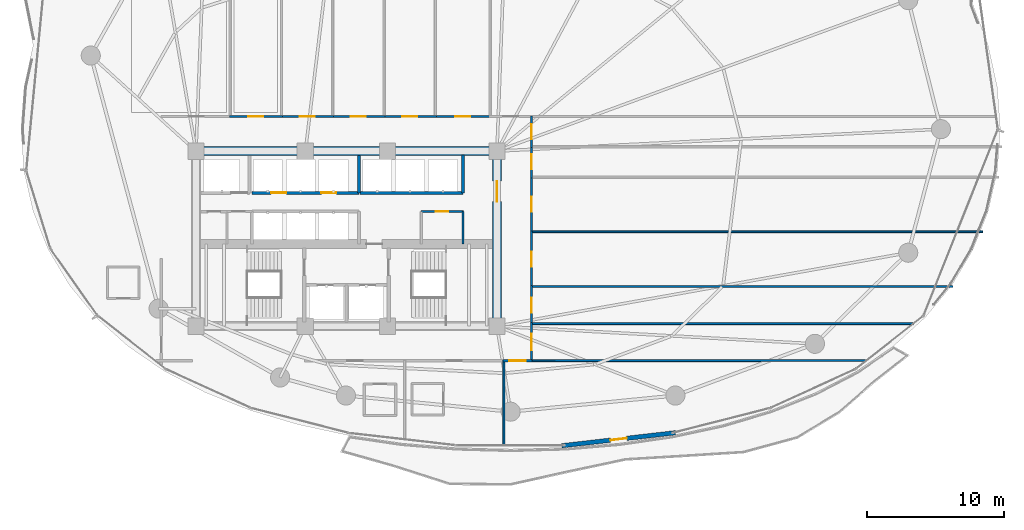
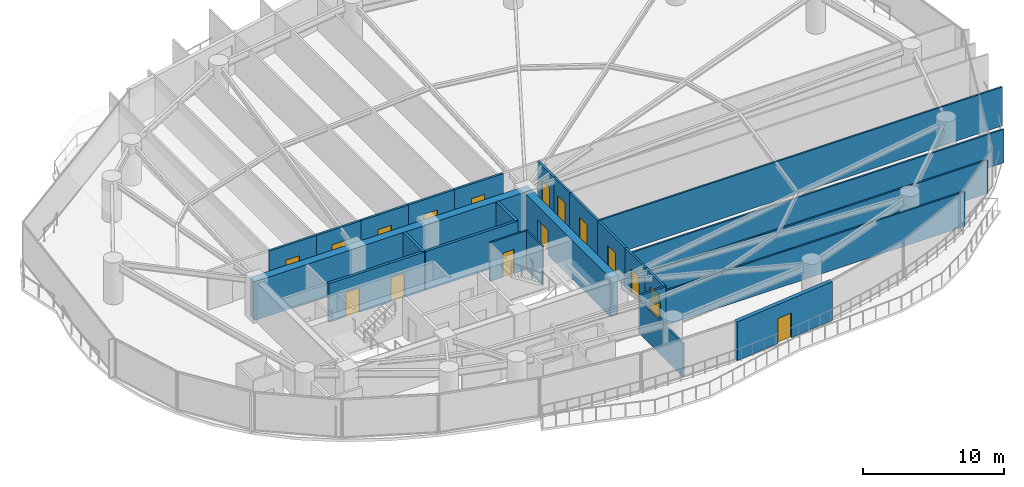
# One storey, part 26 of 32: 26 walls, 17 doors, 17 openings.
"""IFC4 building model written with IfcOpenShell, lengths in metres."""

from ifc_helpers import new_model, si_unit, direction, frame, frame_2d, origin, place, context, subcontext, project, spatial, rectangle, extrude, material, layer, layer_set, type_object, element, fill, save


model = new_model("IFC4")

# Units and contexts
model_context = context("Model", 3, precision=1e-05, world=origin(), true_north=direction((0.0, 1.0)))
body_context = subcontext(model_context, "Body", "Model", "MODEL_VIEW")
ifc_project = project(units=[si_unit("LENGTHUNIT", "METRE"), si_unit("AREAUNIT", "SQUARE_METRE"), si_unit("VOLUMEUNIT", "CUBIC_METRE"), si_unit("PLANEANGLEUNIT", "RADIAN"), si_unit("MASSUNIT", "GRAM", prefix="KILO")], contexts=[model_context])

# Site, building, storey
site_placement = place(None, origin())
site = spatial("IfcSite", under=ifc_project, at=site_placement, CompositionType="ELEMENT")
building_placement = place(site_placement, origin())
building = spatial("IfcBuilding", under=site, at=building_placement, Name="Kazevale Care Tower and Concert Hall", CompositionType="ELEMENT")
storey_placement = place(building_placement, frame((0.0, 0.0, 38.39990234375)))
storey = spatial("IfcBuildingStorey", under=building, at=storey_placement, Name="L09", CompositionType="ELEMENT", Elevation=38.39990234375)

# Wall
ifc_material_1 = material(Name="Acoustic Gypsum on Steel Stud", Category="steel")
ifc_layer_1 = layer(ifc_material_1, 0.139892578125)
ifc_layer_set_1 = layer_set([ifc_layer_1], Name="Acoustic Gypsum on Steel Stud")
wall_type_1 = type_object("IfcWallType", Name="Acoustic Care & Suite Partition 140", PredefinedType="PARTITIONING", material=ifc_layer_set_1)
wall_1_placement = place(storey_placement, frame((41.52001953125, 29.6201171875, 0.0), z_axis=(0.0, 0.0, 1.0), x_axis=(0.0, 1.0, 0.0)))
element("IfcWall", 1, at=wall_1_placement, inside=storey, type_object=wall_type_1, Name="wall:L09:kb_ee", PredefinedType="PARTITIONING", context=body_context, shape_type="SweptSolid", body=[
    extrude(rectangle(XDim=2.35986328125, YDim=0.139892578125, at=frame_2d((1.179931640625, 0.0))), origin(), (0.0, 0.0, 1.0), 3.360107421875),
])

# Wall, opening, door
wall_2_placement = place(storey_placement, frame((38.47998046875, 31.97998046875, 0.0), z_axis=(0.0, 0.0, 1.0), x_axis=(1.0, 0.0, 0.0)))
wall_2 = element("IfcWall", 2, at=wall_2_placement, inside=storey, type_object=wall_type_1, Name="wall:L09:kb_en", PredefinedType="PARTITIONING", context=body_context, shape_type="SweptSolid", body=[
    extrude(rectangle(XDim=3.0400390625, YDim=0.139892578125, at=frame_2d((1.52001953125, 0.0))), origin(), (0.0, 0.0, 1.0), 3.360107421875),
])
opening_1_placement = place(wall_2_placement, frame((1.044921875, 0.0, 0.0)))
opening_1 = element("IfcOpeningElement", 3, at=opening_1_placement, cuts=wall_2, Name="Opening ID-900", PredefinedType="OPENING", context=body_context, shape_type="SweptSolid", body=[
    extrude(rectangle(XDim=0.919921875, YDim=2.10009765625, at=frame_2d((0.4599609375, 1.050048828125))), frame((0.0, 0.079833984375, 0.0), z_axis=(0.0, -1.0, 0.0), x_axis=(1.0, 0.0, 0.0)), (0.0, 0.0, 1.0), 0.159912109375),
])
ifc_material_2 = material(Name="Oak Timber Fire Leaf", Category="wood")
door_type_1 = type_object("IfcDoorType", Name="Bathroom & Service Door 920x2100", OperationType="NOTDEFINED", PredefinedType="DOOR", material=ifc_material_2)
door_1_placement = place(opening_1_placement, origin())
door_1 = element("IfcDoor", 4, at=door_1_placement, inside=storey, type_object=door_type_1, Name="door:L09:d_kbe", OperationType="SINGLE_SWING_LEFT", OverallHeight=2.10009765625, OverallWidth=0.919921875, PredefinedType="DOOR", context=body_context, shape_type="SweptSolid", body=[
    extrude(rectangle(XDim=0.919921875, YDim=2.10009765625, at=frame_2d((0.4599609375, 1.050048828125))), frame((0.0, 0.02490234375, 0.0), z_axis=(0.0, -1.0, 0.0), x_axis=(1.0, 0.0, 0.0)), (0.0, 0.0, 1.0), 0.050048828125),
])
fill(opening_1, door_1)

# Walls
wall_3_placement = place(storey_placement, frame((46.4951171875, 23.7900390625, 0.0), z_axis=(0.0, 0.0, 1.0), x_axis=(1.0, 0.0, 0.0)))
element("IfcWall", 5, at=wall_3_placement, inside=storey, type_object=wall_type_1, Name="wall:L09:auto_026", PredefinedType="PARTITIONING", context=body_context, shape_type="SweptSolid", body=[
    extrude(rectangle(XDim=27.9462890625, YDim=0.139892578125, at=frame_2d((13.97314453125, 0.0))), origin(), (0.0, 0.0, 1.0), 2.89013671875),
])
wall_4_placement = place(storey_placement, frame((71.0107421875, 21.094482421875, 0.0), z_axis=(0.0, 0.0, 1.0), x_axis=(-0.999999682646, -0.000796685534, 0.0)))
element("IfcWall", 6, at=wall_4_placement, inside=storey, type_object=wall_type_1, Name="wall:L09:auto_027", PredefinedType="PARTITIONING", context=body_context, shape_type="SweptSolid", body=[
    extrude(rectangle(XDim=24.515625, YDim=0.139892578125, at=frame_2d((12.2578125, 0.0))), origin(), (0.0, 0.0, 1.0), 2.99609375),
])
wall_5_placement = place(storey_placement, frame((46.4951171875, 26.5, 0.0), z_axis=(0.0, 0.0, 1.0), x_axis=(1.0, 0.0, 0.0)))
element("IfcWall", 7, at=wall_5_placement, inside=storey, type_object=wall_type_1, Name="wall:L09:auto_028", PredefinedType="PARTITIONING", context=body_context, shape_type="SweptSolid", body=[
    extrude(rectangle(XDim=30.830810546875, YDim=0.139892578125, at=frame_2d((15.41552734375, 0.0))), origin(), (0.0, 0.0, 1.0), 2.89013671875),
])
wall_6_placement = place(storey_placement, frame((46.4951171875, 30.5, 0.0), z_axis=(0.0, 0.0, 1.0), x_axis=(1.0, 0.0, 0.0)))
element("IfcWall", 8, at=wall_6_placement, inside=storey, type_object=wall_type_1, Name="wall:L09:auto_029", PredefinedType="PARTITIONING", context=body_context, shape_type="SweptSolid", body=[
    extrude(rectangle(XDim=33.0078125, YDim=0.139892578125, at=frame_2d((16.50390625, 0.0))), origin(), (0.0, 0.0, 1.0), 3.360107421875),
])
wall_7_placement = place(storey_placement, frame((44.5, 21.10498046875, 0.0), z_axis=(0.0, 0.0, 1.0), x_axis=(0.0, -1.0, 0.0)))
element("IfcWall", 9, at=wall_7_placement, inside=storey, type_object=wall_type_1, Name="wall:L09:auto_033", PredefinedType="PARTITIONING", context=body_context, shape_type="SweptSolid", body=[
    extrude(rectangle(XDim=6.205078125, YDim=0.139892578125, at=frame_2d((3.1025390625, 0.0))), origin(), (0.0, 0.0, 1.0), 2.89013671875),
])
ifc_material_3 = material(Name="Concrete C70", Category="concrete")
ifc_layer_2 = layer(ifc_material_3, 0.64990234375)
ifc_layer_set_2 = layer_set([ifc_layer_2], Name="Concrete C70")
wall_type_2 = type_object("IfcWallType", Name="Core Shear Wall 650 C70", PredefinedType="SHEAR", material=ifc_layer_set_2)
wall_8_placement = place(storey_placement, frame((21.675048828125, 36.39990234375, 0.0), z_axis=(0.0, 0.0, 1.0), x_axis=(1.0, 0.0, 0.0)))
element("IfcWall", 10, at=wall_8_placement, inside=storey, type_object=wall_type_2, Name="wall:L09:core:N", PredefinedType="SHEAR", context=body_context, shape_type="SweptSolid", body=[
    extrude(rectangle(XDim=22.64990234375, YDim=0.64990234375, at=frame_2d((11.324951171875, 0.0))), origin(), (0.0, 0.0, 1.0), 3.360107421875),
])

# Wall, opening, door
wall_9_placement = place(storey_placement, frame((44.0, 23.925048828125, 0.0), z_axis=(0.0, 0.0, 1.0), x_axis=(0.0, 1.0, 0.0)))
wall_9 = element("IfcWall", 11, at=wall_9_placement, inside=storey, type_object=wall_type_2, Name="wall:L09:core:E", PredefinedType="SHEAR", context=body_context, shape_type="SweptSolid", body=[
    extrude(rectangle(XDim=12.14990234375, YDim=0.64990234375, at=frame_2d((6.074951171875, 0.0))), origin(), (0.0, 0.0, 1.0), 3.360107421875),
])
opening_2_placement = place(wall_9_placement, frame((8.77490234375, 0.0, 0.0)))
opening_2 = element("IfcOpeningElement", 12, at=opening_2_placement, cuts=wall_9, Name="Opening FD-60D", PredefinedType="OPENING", context=body_context, shape_type="SweptSolid", body=[
    extrude(rectangle(XDim=1.5, YDim=2.14990234375, at=frame_2d((0.75, 1.074951171875))), frame((0.0, 0.3349609375, 0.0), z_axis=(0.0, -1.0, 0.0), x_axis=(1.0, 0.0, 0.0)), (0.0, 0.0, 1.0), 0.669921875),
])
door_type_2 = type_object("IfcDoorType", Name="Double Lobby & Auditorium Fire Door 1500x2150", OperationType="NOTDEFINED", PredefinedType="DOOR", material=ifc_material_2)
door_2_placement = place(opening_2_placement, origin())
door_2 = element("IfcDoor", 13, at=door_2_placement, inside=storey, type_object=door_type_2, Name="door:L09:core_east_out", OperationType="DOUBLE_DOOR_SINGLE_SWING", OverallHeight=2.14990234375, OverallWidth=1.5, PredefinedType="DOOR", context=body_context, shape_type="SweptSolid", body=[
    extrude(rectangle(XDim=1.5, YDim=2.14990234375, at=frame_2d((0.75, 1.074951171875))), frame((0.0, 0.02490234375, 0.0), z_axis=(0.0, -1.0, 0.0), x_axis=(1.0, 0.0, 0.0)), (0.0, 0.0, 1.0), 0.050048828125),
])
fill(opening_2, door_2)

# Wall, openings, doors
ifc_material_4 = material(Name="Concrete C40", Category="concrete")
ifc_layer_3 = layer(ifc_material_4, 0.219970703125)
ifc_layer_set_3 = layer_set([ifc_layer_3], Name="Concrete C40")
wall_type_3 = type_object("IfcWallType", Name="Elevator Hoistway Shaft Wall 220", PredefinedType="SOLIDWALL", material=ifc_layer_set_3)
wall_10_placement = place(storey_placement, frame((26.10009765625, 33.35009765625, 0.0), z_axis=(0.0, 0.0, 1.0), x_axis=(1.0, 0.0, 0.0)))
wall_10 = element("IfcWall", 14, at=wall_10_placement, inside=storey, type_object=wall_type_3, Name="wall:L09:c_pl_s", PredefinedType="SOLIDWALL", context=body_context, shape_type="SweptSolid", body=[
    extrude(rectangle(XDim=7.7998046875, YDim=0.219970703125, at=frame_2d((3.89990234375, 0.0))), origin(), (0.0, 0.0, 1.0), 3.360107421875),
])
opening_3_placement = place(wall_10_placement, frame((1.39990234375, 0.0, 0.0)))
opening_3 = element("IfcOpeningElement", 15, at=opening_3_placement, cuts=wall_10, Name="Opening LD-PAX", PredefinedType="OPENING", context=body_context, shape_type="SweptSolid", body=[
    extrude(rectangle(XDim=1.10009765625, YDim=2.10009765625, at=frame_2d((0.550048828125, 1.050048828125))), frame((0.0, 0.119873046875, 0.0), z_axis=(0.0, -1.0, 0.0), x_axis=(1.0, 0.0, 0.0)), (0.0, 0.0, 1.0), 0.239990234375),
])
opening_4_placement = place(wall_10_placement, frame((5.06591796875, 0.0, 0.0)))
opening_4 = element("IfcOpeningElement", 16, at=opening_4_placement, cuts=wall_10, Name="Opening LD-PAX", PredefinedType="OPENING", context=body_context, shape_type="SweptSolid", body=[
    extrude(rectangle(XDim=1.10009765625, YDim=2.10009765625, at=frame_2d((0.550048828125, 1.050048828125))), frame((0.0, 0.119873046875, 0.0), z_axis=(0.0, -1.0, 0.0), x_axis=(1.0, 0.0, 0.0)), (0.0, 0.0, 1.0), 0.239990234375),
])
ifc_material_5 = material(Name="Stainless Steel 316", Category="steel")
door_type_3 = type_object("IfcDoorType", Name="Passenger Lift Sliding Landing Door 1100x2100", OperationType="NOTDEFINED", PredefinedType="DOOR", material=ifc_material_5)
door_3_placement = place(opening_3_placement, origin())
door_3 = element("IfcDoor", 17, at=door_3_placement, inside=storey, type_object=door_type_3, Name="door:L09:ld_pl1", OperationType="SLIDING_TO_LEFT", OverallHeight=2.10009765625, OverallWidth=1.10009765625, PredefinedType="DOOR", context=body_context, shape_type="SweptSolid", body=[
    extrude(rectangle(XDim=1.10009765625, YDim=2.10009765625, at=frame_2d((0.550048828125, 1.050048828125))), frame((0.0, 0.02490234375, 0.0), z_axis=(0.0, -1.0, 0.0), x_axis=(1.0, 0.0, 0.0)), (0.0, 0.0, 1.0), 0.050048828125),
])
fill(opening_3, door_3)
door_4_placement = place(opening_4_placement, origin())
door_4 = element("IfcDoor", 18, at=door_4_placement, inside=storey, type_object=door_type_3, Name="door:L09:ld_pl2", OperationType="SLIDING_TO_RIGHT", OverallHeight=2.10009765625, OverallWidth=1.10009765625, PredefinedType="DOOR", context=body_context, shape_type="SweptSolid", body=[
    extrude(rectangle(XDim=1.10009765625, YDim=2.10009765625, at=frame_2d((0.550048828125, 1.050048828125))), frame((0.0, 0.02490234375, 0.0), z_axis=(0.0, -1.0, 0.0), x_axis=(1.0, 0.0, 0.0)), (0.0, 0.0, 1.0), 0.050048828125),
])
fill(opening_4, door_4)

# Walls
wall_11_placement = place(storey_placement, frame((33.89990234375, 33.35009765625, 0.0), z_axis=(0.0, 0.0, 1.0), x_axis=(0.0, 1.0, 0.0)))
element("IfcWall", 19, at=wall_11_placement, inside=storey, type_object=wall_type_3, Name="wall:L09:c_pl_e", PredefinedType="SOLIDWALL", context=body_context, shape_type="SweptSolid", body=[
    extrude(rectangle(XDim=2.72998046875, YDim=0.219970703125, at=frame_2d((1.364990234375, 0.0))), origin(), (0.0, 0.0, 1.0), 3.360107421875),
])
wall_12_placement = place(storey_placement, frame((33.97998046875, 33.35009765625, 0.0), z_axis=(0.0, 0.0, 1.0), x_axis=(1.0, 0.0, 0.0)))
element("IfcWall", 20, at=wall_12_placement, inside=storey, type_object=wall_type_3, Name="wall:L09:c_pm_s", PredefinedType="SOLIDWALL", context=body_context, shape_type="SweptSolid", body=[
    extrude(rectangle(XDim=7.5400390625, YDim=0.219970703125, at=frame_2d((3.77001953125, 0.0))), origin(), (0.0, 0.0, 1.0), 3.360107421875),
])
wall_13_placement = place(storey_placement, frame((41.5, 33.35009765625, 0.0), z_axis=(0.0, 0.0, 1.0), x_axis=(0.0, 1.0, 0.0)))
element("IfcWall", 21, at=wall_13_placement, inside=storey, type_object=wall_type_3, Name="wall:L09:c_pm_e", PredefinedType="SOLIDWALL", context=body_context, shape_type="SweptSolid", body=[
    extrude(rectangle(XDim=2.75, YDim=0.219970703125, at=frame_2d((1.375, 0.0))), origin(), (0.0, 0.0, 1.0), 3.360107421875),
])

# Wall, opening, door
ifc_material_6 = material(Name="Concrete C40 and Acoustic Gypsum", Category="concrete")
ifc_layer_4 = layer(ifc_material_6, 0.179931640625)
ifc_layer_set_4 = layer_set([ifc_layer_4], Name="Concrete C40 and Acoustic Gypsum")
wall_type_4 = type_object("IfcWallType", Name="Fire-Rated Corridor & Party Wall 180", PredefinedType="PARTITIONING", material=ifc_layer_set_4)
wall_14_placement = place(storey_placement, frame((24.43505859375, 38.925048828125, 0.0), z_axis=(0.0, 0.0, 1.0), x_axis=(1.0, 0.0, 0.0)))
wall_14 = element("IfcWall", 22, at=wall_14_placement, inside=storey, type_object=wall_type_4, Name="wall:L09:auto_002", PredefinedType="PARTITIONING", context=body_context, shape_type="SweptSolid", body=[
    extrude(rectangle(XDim=3.8798828125, YDim=0.179931640625, at=frame_2d((1.93994140625, 0.0))), origin(), (0.0, 0.0, 1.0), 3.360107421875),
])
opening_5_placement = place(wall_14_placement, frame((1.389892578125, 0.0, 0.0)))
opening_5 = element("IfcOpeningElement", 23, at=opening_5_placement, cuts=wall_14, Name="Opening ID-1100", PredefinedType="OPENING", context=body_context, shape_type="SweptSolid", body=[
    extrude(rectangle(XDim=1.10009765625, YDim=2.10009765625, at=frame_2d((0.550048828125, 1.050048828125))), frame((0.0, 0.099853515625, 0.0), z_axis=(0.0, -1.0, 0.0), x_axis=(1.0, 0.0, 0.0)), (0.0, 0.0, 1.0), 0.199951171875),
])
door_type_4 = type_object("IfcDoorType", Name="Care Bedroom Accessible Door 1100x2100", OperationType="NOTDEFINED", PredefinedType="DOOR", material=ifc_material_2)
door_5_placement = place(opening_5_placement, origin())
door_5 = element("IfcDoor", 24, at=door_5_placement, inside=storey, type_object=door_type_4, Name="door:L09:ad_002", OperationType="SINGLE_SWING_LEFT", OverallHeight=2.10009765625, OverallWidth=1.10009765625, PredefinedType="DOOR", context=body_context, shape_type="SweptSolid", body=[
    extrude(rectangle(XDim=1.10009765625, YDim=2.10009765625, at=frame_2d((0.550048828125, 1.050048828125))), frame((0.0, 0.02490234375, 0.0), z_axis=(0.0, -1.0, 0.0), x_axis=(1.0, 0.0, 0.0)), (0.0, 0.0, 1.0), 0.050048828125),
])
fill(opening_5, door_5)

wall_15_placement = place(storey_placement, frame((28.18505859375, 38.925048828125, 0.0), z_axis=(0.0, 0.0, 1.0), x_axis=(1.0, 0.0, 0.0)))
wall_15 = element("IfcWall", 25, at=wall_15_placement, inside=storey, type_object=wall_type_4, Name="wall:L09:auto_003", PredefinedType="PARTITIONING", context=body_context, shape_type="SweptSolid", body=[
    extrude(rectangle(XDim=3.8798828125, YDim=0.179931640625, at=frame_2d((1.93994140625, 0.0))), origin(), (0.0, 0.0, 1.0), 3.360107421875),
])
opening_6_placement = place(wall_15_placement, frame((1.389892578125, 0.0, 0.0)))
opening_6 = element("IfcOpeningElement", 26, at=opening_6_placement, cuts=wall_15, Name="Opening ID-1100", PredefinedType="OPENING", context=body_context, shape_type="SweptSolid", body=[
    extrude(rectangle(XDim=1.10009765625, YDim=2.10009765625, at=frame_2d((0.550048828125, 1.050048828125))), frame((0.0, 0.099853515625, 0.0), z_axis=(0.0, -1.0, 0.0), x_axis=(1.0, 0.0, 0.0)), (0.0, 0.0, 1.0), 0.199951171875),
])
door_6_placement = place(opening_6_placement, origin())
door_6 = element("IfcDoor", 27, at=door_6_placement, inside=storey, type_object=door_type_4, Name="door:L09:ad_003", OperationType="SINGLE_SWING_LEFT", OverallHeight=2.10009765625, OverallWidth=1.10009765625, PredefinedType="DOOR", context=body_context, shape_type="SweptSolid", body=[
    extrude(rectangle(XDim=1.10009765625, YDim=2.10009765625, at=frame_2d((0.550048828125, 1.050048828125))), frame((0.0, 0.02490234375, 0.0), z_axis=(0.0, -1.0, 0.0), x_axis=(1.0, 0.0, 0.0)), (0.0, 0.0, 1.0), 0.050048828125),
])
fill(opening_6, door_6)

wall_16_placement = place(storey_placement, frame((31.93505859375, 38.925048828125, 0.0), z_axis=(0.0, 0.0, 1.0), x_axis=(1.0, 0.0, 0.0)))
wall_16 = element("IfcWall", 28, at=wall_16_placement, inside=storey, type_object=wall_type_4, Name="wall:L09:auto_004", PredefinedType="PARTITIONING", context=body_context, shape_type="SweptSolid", body=[
    extrude(rectangle(XDim=3.8798828125, YDim=0.179931640625, at=frame_2d((1.93994140625, 0.0))), origin(), (0.0, 0.0, 1.0), 3.360107421875),
])
opening_7_placement = place(wall_16_placement, frame((1.389892578125, 0.0, 0.0)))
opening_7 = element("IfcOpeningElement", 29, at=opening_7_placement, cuts=wall_16, Name="Opening ID-1100", PredefinedType="OPENING", context=body_context, shape_type="SweptSolid", body=[
    extrude(rectangle(XDim=1.10009765625, YDim=2.10009765625, at=frame_2d((0.550048828125, 1.050048828125))), frame((0.0, 0.099853515625, 0.0), z_axis=(0.0, -1.0, 0.0), x_axis=(1.0, 0.0, 0.0)), (0.0, 0.0, 1.0), 0.199951171875),
])
door_7_placement = place(opening_7_placement, origin())
door_7 = element("IfcDoor", 30, at=door_7_placement, inside=storey, type_object=door_type_4, Name="door:L09:ad_004", OperationType="SINGLE_SWING_LEFT", OverallHeight=2.10009765625, OverallWidth=1.10009765625, PredefinedType="DOOR", context=body_context, shape_type="SweptSolid", body=[
    extrude(rectangle(XDim=1.10009765625, YDim=2.10009765625, at=frame_2d((0.550048828125, 1.050048828125))), frame((0.0, 0.02490234375, 0.0), z_axis=(0.0, -1.0, 0.0), x_axis=(1.0, 0.0, 0.0)), (0.0, 0.0, 1.0), 0.050048828125),
])
fill(opening_7, door_7)

wall_17_placement = place(storey_placement, frame((35.68505859375, 38.925048828125, 0.0), z_axis=(0.0, 0.0, 1.0), x_axis=(1.0, 0.0, 0.0)))
wall_17 = element("IfcWall", 31, at=wall_17_placement, inside=storey, type_object=wall_type_4, Name="wall:L09:auto_005", PredefinedType="PARTITIONING", context=body_context, shape_type="SweptSolid", body=[
    extrude(rectangle(XDim=3.8798828125, YDim=0.179931640625, at=frame_2d((1.93994140625, 0.0))), origin(), (0.0, 0.0, 1.0), 3.360107421875),
])
opening_8_placement = place(wall_17_placement, frame((1.389892578125, 0.0, 0.0)))
opening_8 = element("IfcOpeningElement", 32, at=opening_8_placement, cuts=wall_17, Name="Opening ID-1100", PredefinedType="OPENING", context=body_context, shape_type="SweptSolid", body=[
    extrude(rectangle(XDim=1.10009765625, YDim=2.10009765625, at=frame_2d((0.550048828125, 1.050048828125))), frame((0.0, 0.099853515625, 0.0), z_axis=(0.0, -1.0, 0.0), x_axis=(1.0, 0.0, 0.0)), (0.0, 0.0, 1.0), 0.199951171875),
])
door_8_placement = place(opening_8_placement, origin())
door_8 = element("IfcDoor", 33, at=door_8_placement, inside=storey, type_object=door_type_4, Name="door:L09:ad_005", OperationType="SINGLE_SWING_LEFT", OverallHeight=2.10009765625, OverallWidth=1.10009765625, PredefinedType="DOOR", context=body_context, shape_type="SweptSolid", body=[
    extrude(rectangle(XDim=1.10009765625, YDim=2.10009765625, at=frame_2d((0.550048828125, 1.050048828125))), frame((0.0, 0.02490234375, 0.0), z_axis=(0.0, -1.0, 0.0), x_axis=(1.0, 0.0, 0.0)), (0.0, 0.0, 1.0), 0.050048828125),
])
fill(opening_8, door_8)

wall_18_placement = place(storey_placement, frame((39.43505859375, 38.925048828125, 0.0), z_axis=(0.0, 0.0, 1.0), x_axis=(1.0, 0.0, 0.0)))
wall_18 = element("IfcWall", 34, at=wall_18_placement, inside=storey, type_object=wall_type_4, Name="wall:L09:auto_006", PredefinedType="PARTITIONING", context=body_context, shape_type="SweptSolid", body=[
    extrude(rectangle(XDim=4.1298828125, YDim=0.179931640625, at=frame_2d((2.06494140625, 0.0))), origin(), (0.0, 0.0, 1.0), 3.360107421875),
])
opening_9_placement = place(wall_18_placement, frame((1.514892578125, 0.0, 0.0)))
opening_9 = element("IfcOpeningElement", 35, at=opening_9_placement, cuts=wall_18, Name="Opening ID-1100", PredefinedType="OPENING", context=body_context, shape_type="SweptSolid", body=[
    extrude(rectangle(XDim=1.10009765625, YDim=2.10009765625, at=frame_2d((0.550048828125, 1.050048828125))), frame((0.0, 0.099853515625, 0.0), z_axis=(0.0, -1.0, 0.0), x_axis=(1.0, 0.0, 0.0)), (0.0, 0.0, 1.0), 0.199951171875),
])
door_9_placement = place(opening_9_placement, origin())
door_9 = element("IfcDoor", 36, at=door_9_placement, inside=storey, type_object=door_type_4, Name="door:L09:ad_006", OperationType="SINGLE_SWING_LEFT", OverallHeight=2.10009765625, OverallWidth=1.10009765625, PredefinedType="DOOR", context=body_context, shape_type="SweptSolid", body=[
    extrude(rectangle(XDim=1.10009765625, YDim=2.10009765625, at=frame_2d((0.550048828125, 1.050048828125))), frame((0.0, 0.02490234375, 0.0), z_axis=(0.0, -1.0, 0.0), x_axis=(1.0, 0.0, 0.0)), (0.0, 0.0, 1.0), 0.050048828125),
])
fill(opening_9, door_9)

wall_19_placement = place(storey_placement, frame((46.52490234375, 23.85498046875, 0.0), z_axis=(0.0, 0.0, 1.0), x_axis=(0.0, -1.0, 0.0)))
wall_19 = element("IfcWall", 37, at=wall_19_placement, inside=storey, type_object=wall_type_4, Name="wall:L09:auto_008", PredefinedType="PARTITIONING", context=body_context, shape_type="SweptSolid", body=[
    extrude(rectangle(XDim=2.81005859375, YDim=0.179931640625, at=frame_2d((1.405029296875, 0.0))), origin(), (0.0, 0.0, 1.0), 3.360107421875),
])
opening_10_placement = place(wall_19_placement, frame((0.804931640625, 0.0, 0.0)))
opening_10 = element("IfcOpeningElement", 38, at=opening_10_placement, cuts=wall_19, Name="Opening ID-1200", PredefinedType="OPENING", context=body_context, shape_type="SweptSolid", body=[
    extrude(rectangle(XDim=1.199951171875, YDim=2.14990234375, at=frame_2d((0.60009765625, 1.074951171875))), frame((0.0, 0.099853515625, 0.0), z_axis=(0.0, -1.0, 0.0), x_axis=(1.0, 0.0, 0.0)), (0.0, 0.0, 1.0), 0.199951171875),
])
door_type_5 = type_object("IfcDoorType", Name="Clinical & Therapy Door 1200x2150", OperationType="NOTDEFINED", PredefinedType="DOOR", material=ifc_material_2)
door_10_placement = place(opening_10_placement, origin())
door_10 = element("IfcDoor", 39, at=door_10_placement, inside=storey, type_object=door_type_5, Name="door:L09:ad_008", OperationType="SINGLE_SWING_LEFT", OverallHeight=2.14990234375, OverallWidth=1.199951171875, PredefinedType="DOOR", context=body_context, shape_type="SweptSolid", body=[
    extrude(rectangle(XDim=1.199951171875, YDim=2.14990234375, at=frame_2d((0.60009765625, 1.074951171875))), frame((0.0, 0.02490234375, 0.0), z_axis=(0.0, -1.0, 0.0), x_axis=(1.0, 0.0, 0.0)), (0.0, 0.0, 1.0), 0.050048828125),
])
fill(opening_10, door_10)

wall_20_placement = place(storey_placement, frame((46.52490234375, 26.56494140625, 0.0), z_axis=(0.0, 0.0, 1.0), x_axis=(0.0, -1.0, 0.0)))
wall_20 = element("IfcWall", 40, at=wall_20_placement, inside=storey, type_object=wall_type_4, Name="wall:L09:auto_009", PredefinedType="PARTITIONING", context=body_context, shape_type="SweptSolid", body=[
    extrude(rectangle(XDim=2.83984375, YDim=0.179931640625, at=frame_2d((1.419921875, 0.0))), origin(), (0.0, 0.0, 1.0), 3.360107421875),
])
opening_11_placement = place(wall_20_placement, frame((0.8701171875, 0.0, 0.0)))
opening_11 = element("IfcOpeningElement", 41, at=opening_11_placement, cuts=wall_20, Name="Opening ID-1100", PredefinedType="OPENING", context=body_context, shape_type="SweptSolid", body=[
    extrude(rectangle(XDim=1.10009765625, YDim=2.10009765625, at=frame_2d((0.550048828125, 1.050048828125))), frame((0.0, 0.099853515625, 0.0), z_axis=(0.0, -1.0, 0.0), x_axis=(1.0, 0.0, 0.0)), (0.0, 0.0, 1.0), 0.199951171875),
])
door_11_placement = place(opening_11_placement, origin())
door_11 = element("IfcDoor", 42, at=door_11_placement, inside=storey, type_object=door_type_4, Name="door:L09:ad_009", OperationType="SINGLE_SWING_LEFT", OverallHeight=2.10009765625, OverallWidth=1.10009765625, PredefinedType="DOOR", context=body_context, shape_type="SweptSolid", body=[
    extrude(rectangle(XDim=1.10009765625, YDim=2.10009765625, at=frame_2d((0.550048828125, 1.050048828125))), frame((0.0, 0.02490234375, 0.0), z_axis=(0.0, -1.0, 0.0), x_axis=(1.0, 0.0, 0.0)), (0.0, 0.0, 1.0), 0.050048828125),
])
fill(opening_11, door_11)

wall_21_placement = place(storey_placement, frame((46.52490234375, 30.56494140625, 0.0), z_axis=(0.0, 0.0, 1.0), x_axis=(0.0, -1.0, 0.0)))
wall_21 = element("IfcWall", 43, at=wall_21_placement, inside=storey, type_object=wall_type_4, Name="wall:L09:auto_010", PredefinedType="PARTITIONING", context=body_context, shape_type="SweptSolid", body=[
    extrude(rectangle(XDim=4.1298828125, YDim=0.179931640625, at=frame_2d((2.06494140625, 0.0))), origin(), (0.0, 0.0, 1.0), 3.360107421875),
])
opening_12_placement = place(wall_21_placement, frame((1.514892578125, 0.0, 0.0)))
opening_12 = element("IfcOpeningElement", 44, at=opening_12_placement, cuts=wall_21, Name="Opening ID-1100", PredefinedType="OPENING", context=body_context, shape_type="SweptSolid", body=[
    extrude(rectangle(XDim=1.10009765625, YDim=2.10009765625, at=frame_2d((0.550048828125, 1.050048828125))), frame((0.0, 0.099853515625, 0.0), z_axis=(0.0, -1.0, 0.0), x_axis=(1.0, 0.0, 0.0)), (0.0, 0.0, 1.0), 0.199951171875),
])
door_12_placement = place(opening_12_placement, origin())
door_12 = element("IfcDoor", 45, at=door_12_placement, inside=storey, type_object=door_type_4, Name="door:L09:ad_010", OperationType="SINGLE_SWING_LEFT", OverallHeight=2.10009765625, OverallWidth=1.10009765625, PredefinedType="DOOR", context=body_context, shape_type="SweptSolid", body=[
    extrude(rectangle(XDim=1.10009765625, YDim=2.10009765625, at=frame_2d((0.550048828125, 1.050048828125))), frame((0.0, 0.02490234375, 0.0), z_axis=(0.0, -1.0, 0.0), x_axis=(1.0, 0.0, 0.0)), (0.0, 0.0, 1.0), 0.050048828125),
])
fill(opening_12, door_12)

wall_22_placement = place(storey_placement, frame((46.52490234375, 34.56494140625, 0.0), z_axis=(0.0, 0.0, 1.0), x_axis=(0.0, -1.0, 0.0)))
wall_22 = element("IfcWall", 46, at=wall_22_placement, inside=storey, type_object=wall_type_4, Name="wall:L09:auto_011", PredefinedType="PARTITIONING", context=body_context, shape_type="SweptSolid", body=[
    extrude(rectangle(XDim=4.1298828125, YDim=0.179931640625, at=frame_2d((2.06494140625, 0.0))), origin(), (0.0, 0.0, 1.0), 3.360107421875),
])
opening_13_placement = place(wall_22_placement, frame((1.514892578125, 0.0, 0.0)))
opening_13 = element("IfcOpeningElement", 47, at=opening_13_placement, cuts=wall_22, Name="Opening ID-1100", PredefinedType="OPENING", context=body_context, shape_type="SweptSolid", body=[
    extrude(rectangle(XDim=1.10009765625, YDim=2.10009765625, at=frame_2d((0.550048828125, 1.050048828125))), frame((0.0, 0.099853515625, 0.0), z_axis=(0.0, -1.0, 0.0), x_axis=(1.0, 0.0, 0.0)), (0.0, 0.0, 1.0), 0.199951171875),
])
door_13_placement = place(opening_13_placement, origin())
door_13 = element("IfcDoor", 48, at=door_13_placement, inside=storey, type_object=door_type_4, Name="door:L09:ad_011", OperationType="SINGLE_SWING_LEFT", OverallHeight=2.10009765625, OverallWidth=1.10009765625, PredefinedType="DOOR", context=body_context, shape_type="SweptSolid", body=[
    extrude(rectangle(XDim=1.10009765625, YDim=2.10009765625, at=frame_2d((0.550048828125, 1.050048828125))), frame((0.0, 0.02490234375, 0.0), z_axis=(0.0, -1.0, 0.0), x_axis=(1.0, 0.0, 0.0)), (0.0, 0.0, 1.0), 0.050048828125),
])
fill(opening_13, door_13)

wall_23_placement = place(storey_placement, frame((46.52490234375, 36.77490234375, 0.0), z_axis=(0.0, 0.0, 1.0), x_axis=(0.0, -1.0, 0.0)))
wall_23 = element("IfcWall", 49, at=wall_23_placement, inside=storey, type_object=wall_type_4, Name="wall:L09:auto_012", PredefinedType="PARTITIONING", context=body_context, shape_type="SweptSolid", body=[
    extrude(rectangle(XDim=2.33984375, YDim=0.179931640625, at=frame_2d((1.169921875, 0.0))), origin(), (0.0, 0.0, 1.0), 3.360107421875),
])
opening_14_placement = place(wall_23_placement, frame((0.6201171875, 0.0, 0.0)))
opening_14 = element("IfcOpeningElement", 50, at=opening_14_placement, cuts=wall_23, Name="Opening ID-1100", PredefinedType="OPENING", context=body_context, shape_type="SweptSolid", body=[
    extrude(rectangle(XDim=1.10009765625, YDim=2.10009765625, at=frame_2d((0.550048828125, 1.050048828125))), frame((0.0, 0.099853515625, 0.0), z_axis=(0.0, -1.0, 0.0), x_axis=(1.0, 0.0, 0.0)), (0.0, 0.0, 1.0), 0.199951171875),
])
door_14_placement = place(opening_14_placement, origin())
door_14 = element("IfcDoor", 51, at=door_14_placement, inside=storey, type_object=door_type_4, Name="door:L09:ad_012", OperationType="SINGLE_SWING_LEFT", OverallHeight=2.10009765625, OverallWidth=1.10009765625, PredefinedType="DOOR", context=body_context, shape_type="SweptSolid", body=[
    extrude(rectangle(XDim=1.10009765625, YDim=2.10009765625, at=frame_2d((0.550048828125, 1.050048828125))), frame((0.0, 0.02490234375, 0.0), z_axis=(0.0, -1.0, 0.0), x_axis=(1.0, 0.0, 0.0)), (0.0, 0.0, 1.0), 0.050048828125),
])
fill(opening_14, door_14)

wall_24_placement = place(storey_placement, frame((46.52490234375, 38.955078125, 0.0), z_axis=(0.0, 0.0, 1.0), x_axis=(0.0, -1.0, 0.0)))
wall_24 = element("IfcWall", 52, at=wall_24_placement, inside=storey, type_object=wall_type_4, Name="wall:L09:auto_013", PredefinedType="PARTITIONING", context=body_context, shape_type="SweptSolid", body=[
    extrude(rectangle(XDim=2.31005859375, YDim=0.179931640625, at=frame_2d((1.155029296875, 0.0))), origin(), (0.0, 0.0, 1.0), 3.360107421875),
])
opening_15_placement = place(wall_24_placement, frame((0.60498046875, 0.0, 0.0)))
opening_15 = element("IfcOpeningElement", 53, at=opening_15_placement, cuts=wall_24, Name="Opening ID-1100", PredefinedType="OPENING", context=body_context, shape_type="SweptSolid", body=[
    extrude(rectangle(XDim=1.10009765625, YDim=2.10009765625, at=frame_2d((0.550048828125, 1.050048828125))), frame((0.0, 0.099853515625, 0.0), z_axis=(0.0, -1.0, 0.0), x_axis=(1.0, 0.0, 0.0)), (0.0, 0.0, 1.0), 0.199951171875),
])
door_15_placement = place(opening_15_placement, origin())
door_15 = element("IfcDoor", 54, at=door_15_placement, inside=storey, type_object=door_type_4, Name="door:L09:ad_013", OperationType="SINGLE_SWING_LEFT", OverallHeight=2.10009765625, OverallWidth=1.10009765625, PredefinedType="DOOR", context=body_context, shape_type="SweptSolid", body=[
    extrude(rectangle(XDim=1.10009765625, YDim=2.10009765625, at=frame_2d((0.550048828125, 1.050048828125))), frame((0.0, 0.02490234375, 0.0), z_axis=(0.0, -1.0, 0.0), x_axis=(1.0, 0.0, 0.0)), (0.0, 0.0, 1.0), 0.050048828125),
])
fill(opening_15, door_15)

wall_25_placement = place(storey_placement, frame((46.554931640625, 21.074951171875, 0.0), z_axis=(0.0, 0.0, 1.0), x_axis=(-1.0, 0.0, 0.0)))
wall_25 = element("IfcWall", 55, at=wall_25_placement, inside=storey, type_object=wall_type_4, Name="wall:L09:auto_016", PredefinedType="PARTITIONING", context=body_context, shape_type="SweptSolid", body=[
    extrude(rectangle(XDim=2.119873046875, YDim=0.179931640625, at=frame_2d((1.06005859375, 0.0))), origin(), (0.0, 0.0, 1.0), 3.360107421875),
])
opening_16_placement = place(wall_25_placement, frame((0.4599609375, 0.0, 0.0)))
opening_16 = element("IfcOpeningElement", 56, at=opening_16_placement, cuts=wall_25, Name="Opening ID-1200", PredefinedType="OPENING", context=body_context, shape_type="SweptSolid", body=[
    extrude(rectangle(XDim=1.199951171875, YDim=2.14990234375, at=frame_2d((0.60009765625, 1.074951171875))), frame((0.0, 0.099853515625, 0.0), z_axis=(0.0, -1.0, 0.0), x_axis=(1.0, 0.0, 0.0)), (0.0, 0.0, 1.0), 0.199951171875),
])
door_16_placement = place(opening_16_placement, origin())
door_16 = element("IfcDoor", 57, at=door_16_placement, inside=storey, type_object=door_type_5, Name="door:L09:ad_016", OperationType="SINGLE_SWING_LEFT", OverallHeight=2.14990234375, OverallWidth=1.199951171875, PredefinedType="DOOR", context=body_context, shape_type="SweptSolid", body=[
    extrude(rectangle(XDim=1.199951171875, YDim=2.14990234375, at=frame_2d((0.60009765625, 1.074951171875))), frame((0.0, 0.02490234375, 0.0), z_axis=(0.0, -1.0, 0.0), x_axis=(1.0, 0.0, 0.0)), (0.0, 0.0, 1.0), 0.050048828125),
])
fill(opening_16, door_16)

ifc_material_7 = material(Name="Concrete C40 with Honed Limestone Cladding", Category="masonry")
ifc_layer_5 = layer(ifc_material_7, 0.320068359375)
ifc_layer_set_5 = layer_set([ifc_layer_5], Name="Concrete C40 with Honed Limestone Cladding")
wall_type_5 = type_object("IfcWallType", Name="Tower Honed Limestone Spandrel Wall 320", PredefinedType="STANDARD", material=ifc_layer_set_5)
wall_26_placement = place(storey_placement, frame((57.050048828125, 15.81201171875, 0.0), z_axis=(0.0, 0.0, 1.0), x_axis=(-0.993503192468, -0.113804246649, 0.0)))
wall_26 = element("IfcWall", 58, at=wall_26_placement, inside=storey, type_object=wall_type_5, Name="wall:L09:bal_host", PredefinedType="STANDARD", context=body_context, shape_type="SweptSolid", body=[
    extrude(rectangle(XDim=8.364501953125, YDim=0.320068359375, at=frame_2d((4.18212890625, 0.0))), origin(), (0.0, 0.0, 1.0), 3.360107421875),
])
opening_17_placement = place(wall_26_placement, frame((3.58203125, 0.0, 0.0)))
opening_17 = element("IfcOpeningElement", 59, at=opening_17_placement, cuts=wall_26, Name="Opening BD-1200", PredefinedType="OPENING", context=body_context, shape_type="SweptSolid", body=[
    extrude(rectangle(XDim=1.199951171875, YDim=2.14990234375, at=frame_2d((0.60009765625, 1.074951171875))), frame((0.0, 0.169921875, 0.0), z_axis=(0.0, -1.0, 0.0), x_axis=(1.0, 0.0, 0.0)), (0.0, 0.0, 1.0), 0.340087890625),
])
ifc_material_8 = material(Name="Aluminium 6063-T6 and Low-E Glass", Category="aluminium")
door_type_6 = type_object("IfcDoorType", Name="Sheltered Balcony Glazed Door 1200x2150", OperationType="NOTDEFINED", PredefinedType="DOOR", material=ifc_material_8)
door_17_placement = place(opening_17_placement, origin())
door_17 = element("IfcDoor", 60, at=door_17_placement, inside=storey, type_object=door_type_6, Name="door:L09:BD-1", OperationType="SINGLE_SWING_LEFT", OverallHeight=2.14990234375, OverallWidth=1.199951171875, PredefinedType="DOOR", context=body_context, shape_type="SweptSolid", body=[
    extrude(rectangle(XDim=1.199951171875, YDim=2.14990234375, at=frame_2d((0.60009765625, 1.074951171875))), frame((0.0, 0.02490234375, 0.0), z_axis=(0.0, -1.0, 0.0), x_axis=(1.0, 0.0, 0.0)), (0.0, 0.0, 1.0), 0.050048828125),
])
fill(opening_17, door_17)

save(model, "model.ifc")
